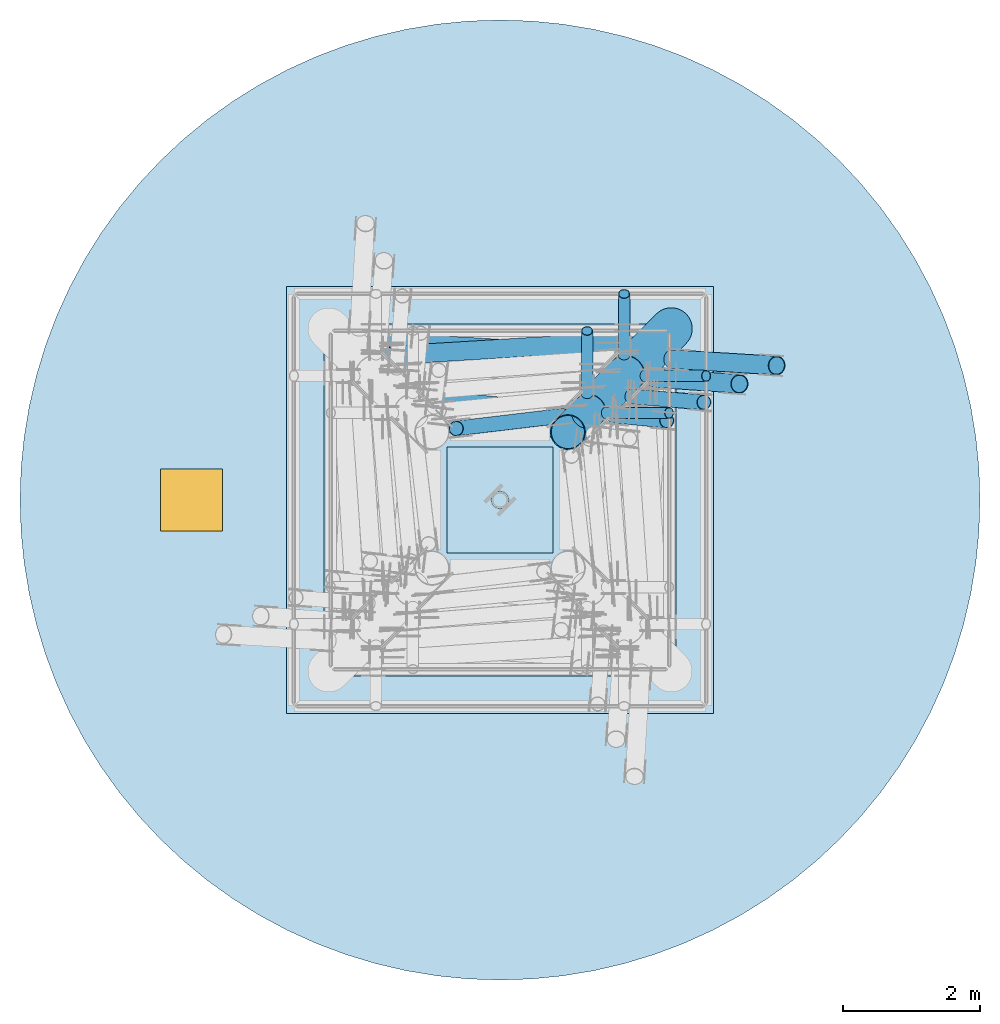
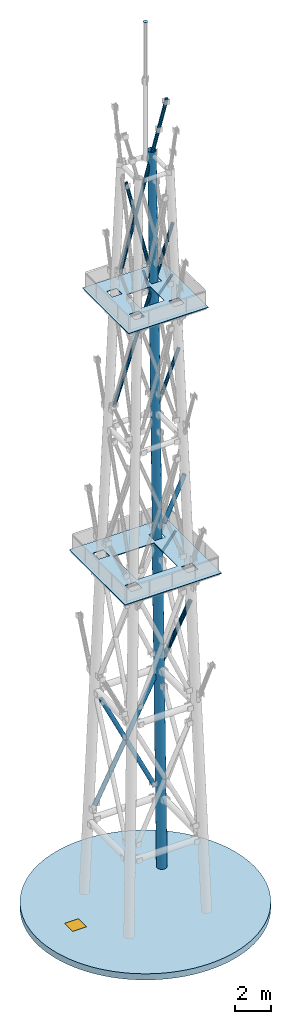
# One storey, part 4 of 25: 16 members, 3 plates, 1 slab, 1 window, 1 opening.
"""IFC4 building model written with IfcOpenShell, lengths in metres."""

from ifc_helpers import new_model, si_unit, direction, frame, origin, origin_2d, place, context, subcontext, project, spatial, polyline, rectangle, hollow_circle, outline, extrude, material, layer, layer_set, material_profile, profile_set, type_object, element, fill, save


model = new_model("IFC4")

# Units and contexts
model_context = context("Model", 3, precision=1e-05, world=origin(), true_north=direction((0.0, 1.0)))
body_context = subcontext(model_context, "Body", "Model", "MODEL_VIEW")
ifc_project = project(units=[si_unit("LENGTHUNIT", "METRE"), si_unit("AREAUNIT", "SQUARE_METRE"), si_unit("VOLUMEUNIT", "CUBIC_METRE"), si_unit("PLANEANGLEUNIT", "RADIAN"), si_unit("MASSUNIT", "GRAM", prefix="KILO")], contexts=[model_context])

# Site, building, storey
site_placement = place(None, origin())
site = spatial("IfcSite", under=ifc_project, at=site_placement, CompositionType="ELEMENT")
building_placement = place(site_placement, origin())
building = spatial("IfcBuilding", under=site, at=building_placement, Name="Vidyagriha Tower", CompositionType="ELEMENT")
storey_placement = place(building_placement, frame((0.0, 0.0, 318.39990234375)))
storey = spatial("IfcBuildingStorey", under=building, at=storey_placement, Name="RF", CompositionType="ELEMENT", Elevation=318.39990234375)

# Members
ifc_material_1 = material(Name="Steel ASTM A500 Grade C", Category="steel")
ifc_material_profile_1 = material_profile(ifc_material_1, hollow_circle(Radius=0.109619140625, WallThickness=0.008056640625, at=origin_2d()), Name="Broadcast mast lattice brace CHS 219x8 MAST")
ifc_profile_set_1 = profile_set([ifc_material_profile_1], Name="Steel ASTM A500 Grade C")
member_type_1 = type_object("IfcMemberType", Name="Broadcast mast lattice brace CHS 219x8 MAST", PredefinedType="BRACE", material=ifc_profile_set_1)
member_1_placement = place(storey_placement, frame((1.92431640625, 14.509033203125, 33.032470703125), z_axis=(0.348690001157, -0.028145017539, 0.9368154253), x_axis=(0.080454783909, 0.996758259432, 0.0)))
element("IfcMember", 1, at=member_1_placement, inside=storey, type_object=member_type_1, Name="Broadcast mast brace 3.3b MAST", PredefinedType="BRACE", context=body_context, shape_type="SweptSolid", body=[
    extrude(hollow_circle(Radius=0.109619140625, WallThickness=0.008056640625, at=origin_2d()), origin(), (0.0, 0.0, 1.0), 3.010009765625),
])
member_2_placement = place(storey_placement, frame((1.655029296875, 14.23291015625, 42.233642578125), z_axis=(0.297934242584, -0.028633127585, 0.954156869231), x_axis=(0.095664750236, 0.995413610296, 0.0)))
element("IfcMember", 2, at=member_2_placement, inside=storey, type_object=member_type_1, Name="Broadcast mast brace 4.3b MAST", PredefinedType="BRACE", context=body_context, shape_type="SweptSolid", body=[
    extrude(hollow_circle(Radius=0.109619140625, WallThickness=0.008056640625, at=origin_2d()), origin(), (0.0, 0.0, 1.0), 2.609130859375),
])
member_3_placement = place(storey_placement, frame((2.432373046875, 14.158203125, 44.72314453125), z_axis=(-0.29790220974, 0.028628457099, -0.954167010998), x_axis=(-0.095659479545, -0.995414116824, 0.0)))
element("IfcMember", 3, at=member_3_placement, inside=storey, type_object=member_type_1, Name="Broadcast mast brace 4.3c MAST", PredefinedType="BRACE", context=body_context, shape_type="SweptSolid", body=[
    extrude(hollow_circle(Radius=0.109619140625, WallThickness=0.008056640625, at=origin_2d()), origin(), (0.0, 0.0, 1.0), 12.04150390625),
])
member_4_placement = place(storey_placement, frame((0.909912109375, 14.227294921875, 42.427734375), z_axis=(-0.244452868876, -0.029112534479, 0.969224048007), x_axis=(0.118256957848, -0.992983027005, 0.0)))
element("IfcMember", 4, at=member_4_placement, inside=storey, type_object=member_type_1, Name="Broadcast mast brace 5.3a MAST", PredefinedType="BRACE", context=body_context, shape_type="SweptSolid", body=[
    extrude(hollow_circle(Radius=0.109619140625, WallThickness=0.008056640625, at=origin_2d()), origin(), (0.0, 0.0, 1.0), 6.33984375),
])
member_5_placement = place(storey_placement, frame((1.891357421875, 13.89404296875, 53.533935546875), z_axis=(-0.24446282321, 0.029082425805, -0.969222441227), x_axis=(-0.11813161898, -0.992997945918, 0.0)))
element("IfcMember", 5, at=member_5_placement, inside=storey, type_object=member_type_1, Name="Broadcast mast brace 5.3c MAST", PredefinedType="BRACE", context=body_context, shape_type="SweptSolid", body=[
    extrude(hollow_circle(Radius=0.109619140625, WallThickness=0.008056640625, at=origin_2d()), origin(), (0.0, 0.0, 1.0), 11.458984375),
])
ifc_material_2 = material(Name="Steel ASTM A500 Grade C", Category="steel")
ifc_material_profile_2 = material_profile(ifc_material_2, hollow_circle(Radius=0.136474609375, WallThickness=0.010009765625, at=origin_2d()), Name="Broadcast mast lattice brace CHS 273x10 MAST")
ifc_profile_set_2 = profile_set([ifc_material_profile_2], Name="Steel ASTM A500 Grade C")
member_type_2 = type_object("IfcMemberType", Name="Broadcast mast lattice brace CHS 273x10 MAST", PredefinedType="BRACE", material=ifc_profile_set_2)
member_6_placement = place(storey_placement, frame((1.9189453125, 15.32373046875, 5.8759765625), z_axis=(-0.441472376731, -0.026916100155, 0.896871040973), x_axis=(0.060855931649, -0.998146560172, 0.0)))
element("IfcMember", 6, at=member_6_placement, inside=storey, type_object=member_type_2, Name="Broadcast mast brace 1.3a MAST", PredefinedType="BRACE", context=body_context, shape_type="SweptSolid", body=[
    extrude(hollow_circle(Radius=0.136474609375, WallThickness=0.010009765625, at=origin_2d()), origin(), (0.0, 0.0, 1.0), 8.081787109375),
])
member_7_placement = place(storey_placement, frame((2.510986328125, 15.0537109375, 14.8759765625), z_axis=(0.441519701467, -0.0269089794, 0.896847958153), x_axis=(0.060833394533, 0.998147933981, 0.0)))
element("IfcMember", 7, at=member_7_placement, inside=storey, type_object=member_type_2, Name="Broadcast mast brace 1.3b MAST", PredefinedType="BRACE", context=body_context, shape_type="SweptSolid", body=[
    extrude(hollow_circle(Radius=0.136474609375, WallThickness=0.010009765625, at=origin_2d()), origin(), (0.0, 0.0, 1.0), 3.44775390625),
])
member_8_placement = place(storey_placement, frame((4.033203125, 14.9609375, 17.968017578125), z_axis=(-0.441472965129, 0.026908483436, -0.896870979896), x_axis=(-0.0608386936, -0.998147611008, 0.0)))
element("IfcMember", 8, at=member_8_placement, inside=storey, type_object=member_type_2, Name="Broadcast mast brace 1.3c MAST", PredefinedType="BRACE", context=body_context, shape_type="SweptSolid", body=[
    extrude(hollow_circle(Radius=0.136474609375, WallThickness=0.010009765625, at=origin_2d()), origin(), (0.0, 0.0, 1.0), 13.482421875),
])
member_9_placement = place(storey_placement, frame((2.2431640625, 14.77978515625, 24.00244140625), z_axis=(0.396616383071, -0.027475968612, 0.917573166471), x_axis=(0.069110292559, 0.997609025351, 0.0)))
element("IfcMember", 9, at=member_9_placement, inside=storey, type_object=member_type_2, Name="Broadcast mast brace 2.3b MAST", PredefinedType="BRACE", context=body_context, shape_type="SweptSolid", body=[
    extrude(hollow_circle(Radius=0.136474609375, WallThickness=0.010009765625, at=origin_2d()), origin(), (0.0, 0.0, 1.0), 3.1455078125),
])
ifc_material_3 = material(Name="Steel ASTM A500 Grade C", Category="steel")
ifc_material_profile_3 = material_profile(ifc_material_3, hollow_circle(Radius=0.25390625, WallThickness=0.0126953125, at=origin_2d()), Name="Broadcast mast lattice leg CHS 508x13 MAST")
ifc_profile_set_3 = profile_set([ifc_material_profile_3], Name="Steel ASTM A500 Grade C")
member_type_3 = type_object("IfcMemberType", Name="Broadcast mast lattice leg CHS 508x13 MAST", PredefinedType="USERDEFINED", material=ifc_profile_set_3)
member_10_placement = place(storey_placement, frame((1.283447265625, 14.283447265625, 40.550048828125), z_axis=(-0.029971038586, -0.029971038586, 0.999101333045), x_axis=(0.707106781187, -0.707106781187, 0.0)))
element("IfcMember", 10, at=member_10_placement, inside=storey, type_object=member_type_3, Name="Broadcast mast leg 3.3 MAST", ObjectType="MAST", PredefinedType="USERDEFINED", context=body_context, shape_type="SweptSolid", body=[
    extrude(hollow_circle(Radius=0.25390625, WallThickness=0.0126953125, at=origin_2d()), origin(), (0.0, 0.0, 1.0), 9.7587890625),
])
ifc_material_4 = material(Name="Steel ASTM A500 Grade C", Category="steel")
ifc_material_profile_4 = material_profile(ifc_material_4, hollow_circle(Radius=0.279296875, WallThickness=0.01611328125, at=origin_2d()), Name="Broadcast mast lattice leg CHS 559x16 MAST")
ifc_profile_set_4 = profile_set([ifc_material_profile_4], Name="Steel ASTM A500 Grade C")
member_type_4 = type_object("IfcMemberType", Name="Broadcast mast lattice leg CHS 559x16 MAST", PredefinedType="USERDEFINED", material=ifc_profile_set_4)
member_11_placement = place(storey_placement, frame((1.823486328125, 14.823486328125, 22.550048828125), z_axis=(-0.029971320793, -0.029971320793, 0.999101316114), x_axis=(0.707106781187, -0.707106781187, 0.0)))
element("IfcMember", 11, at=member_11_placement, inside=storey, type_object=member_type_4, Name="Broadcast mast leg 3.2 MAST", ObjectType="MAST", PredefinedType="USERDEFINED", context=body_context, shape_type="SweptSolid", body=[
    extrude(hollow_circle(Radius=0.279296875, WallThickness=0.01611328125, at=origin_2d()), origin(), (0.0, 0.0, 1.0), 18.466552734375),
])
ifc_material_5 = material(Name="Steel ASTM A572 Grade 50", Category="steel")
ifc_material_profile_5 = material_profile(ifc_material_5, hollow_circle(Radius=0.304931640625, WallThickness=0.02490234375, at=origin_2d()), Name="Broadcast mast lattice leg CHS 610x25 MAST")
ifc_profile_set_5 = profile_set([ifc_material_profile_5], Name="Steel ASTM A572 Grade 50")
member_type_5 = type_object("IfcMemberType", Name="Broadcast mast lattice leg CHS 610x25 MAST", PredefinedType="USERDEFINED", material=ifc_profile_set_5)
member_12_placement = place(storey_placement, frame((2.49853515625, 15.49853515625, 0.050048828125), z_axis=(-0.029972081558, -0.029972081558, 0.99910127047), x_axis=(0.707106781187, -0.707106781187, 0.0)))
element("IfcMember", 12, at=member_12_placement, inside=storey, type_object=member_type_5, Name="Broadcast mast leg 3.1 MAST", ObjectType="MAST", PredefinedType="USERDEFINED", context=body_context, shape_type="SweptSolid", body=[
    extrude(hollow_circle(Radius=0.304931640625, WallThickness=0.02490234375, at=origin_2d()), origin(), (0.0, 0.0, 1.0), 22.970703125),
])
ifc_material_6 = material(Name="Steel ASTM A500 Grade C", Category="steel")
ifc_material_profile_6 = material_profile(ifc_material_6, hollow_circle(Radius=0.084228515625, WallThickness=0.008056640625, at=origin_2d()), Name="Broadcast mast platform knee brace CHS 168x8 MAST")
ifc_profile_set_6 = profile_set([ifc_material_profile_6], Name="Steel ASTM A500 Grade C")
member_type_6 = type_object("IfcMemberType", Name="Broadcast mast platform knee brace CHS 168x8 MAST", PredefinedType="BRACE", material=ifc_profile_set_6)
for number, where, z_axis, x_axis, name in (
    (13, (2.109375, 14.81005859375, 22.0), (0.611954746035, 0.0, 0.790892779588), (0.0, 1.0, 0.0), "Broadcast mast platform 1 knee brace 3x MAST"),
    (14, (1.81005859375, 15.109375, 22.0), (0.0, 0.611954746035, 0.790892779588), (-1.0, 0.0, 0.0), "Broadcast mast platform 1 knee brace 3y MAST"),
):
    element("IfcMember", number, at=place(storey_placement, frame(where, z_axis=z_axis, x_axis=x_axis)), inside=storey, type_object=member_type_6, Name=name, PredefinedType="BRACE", context=body_context, shape_type="SweptSolid", body=[
        extrude(hollow_circle(Radius=0.084228515625, WallThickness=0.008056640625, at=origin_2d()), origin(), (0.0, 0.0, 1.0), 1.46533203125),
    ])
for number, where, z_axis, x_axis, name in (
    (15, (1.5439453125, 14.27001953125, 40.0), (0.631051682992, 0.0, 0.77574079008), (0.0, 1.0, 0.0), "Broadcast mast platform 2 knee brace 3x MAST"),
    (16, (1.27001953125, 14.5439453125, 40.0), (0.0, 0.631051682992, 0.77574079008), (-1.0, 0.0, 0.0), "Broadcast mast platform 2 knee brace 3y MAST"),
):
    element("IfcMember", number, at=place(storey_placement, frame(where, z_axis=z_axis, x_axis=x_axis)), inside=storey, type_object=member_type_6, Name=name, PredefinedType="BRACE", context=body_context, shape_type="SweptSolid", body=[
        extrude(hollow_circle(Radius=0.084228515625, WallThickness=0.008056640625, at=origin_2d()), origin(), (0.0, 0.0, 1.0), 1.461181640625),
    ])

# Plates
ifc_material_7 = material(Name="Galvanised steel grating", Category="steel")
ifc_layer_1 = layer(ifc_material_7, 0.050048828125)
ifc_layer_set_1 = layer_set([ifc_layer_1], Name="Galvanised steel grating")
plate_type_1 = type_object("IfcPlateType", Name="Broadcast mast platform grating 50", PredefinedType="SHEET", material=ifc_layer_set_1)
plate_1_placement = place(storey_placement, frame((0.0, 0.0, 23.162109375)))
element("IfcPlate", 17, at=plate_1_placement, inside=storey, type_object=plate_type_1, Name="Broadcast mast platform 1 deck 1 MAST", PredefinedType="SHEET", context=body_context, shape_type="SweptSolid", body=[
    extrude(outline(polyline([(-3.110107421875, 16.110107421875), (-3.110107421875, 9.889892578125), (3.110107421875, 9.889892578125), (3.110107421875, 16.110107421875), (-3.110107421875, 16.110107421875)]), holes=[polyline([(1.31005859375, 11.68994140625), (-1.31005859375, 11.68994140625), (-1.31005859375, 14.31005859375), (1.31005859375, 14.31005859375), (1.31005859375, 11.68994140625)]), polyline([(-2.1494140625, 10.8505859375), (-2.1494140625, 11.529296875), (-1.470703125, 11.529296875), (-1.470703125, 10.8505859375), (-2.1494140625, 10.8505859375)]), polyline([(1.470703125, 11.529296875), (2.1494140625, 11.529296875), (2.1494140625, 10.8505859375), (1.470703125, 10.8505859375), (1.470703125, 11.529296875)]), polyline([(2.1494140625, 15.1494140625), (2.1494140625, 14.470703125), (1.470703125, 14.470703125), (1.470703125, 15.1494140625), (2.1494140625, 15.1494140625)]), polyline([(-1.470703125, 14.470703125), (-2.1494140625, 14.470703125), (-2.1494140625, 15.1494140625), (-1.470703125, 15.1494140625), (-1.470703125, 14.470703125)])]), origin(), (0.0, 0.0, 1.0), 0.050048828125),
])
plate_2_placement = place(storey_placement, frame((0.0, 0.0, 41.13671875)))
element("IfcPlate", 18, at=plate_2_placement, inside=storey, type_object=plate_type_1, Name="Broadcast mast platform 2 deck 1 MAST", PredefinedType="SHEET", context=body_context, shape_type="SweptSolid", body=[
    extrude(outline(polyline([(-2.570068359375, 15.570068359375), (-2.570068359375, 10.429931640625), (2.570068359375, 10.429931640625), (2.570068359375, 15.570068359375), (-2.570068359375, 15.570068359375)]), holes=[polyline([(0.77001953125, 12.22998046875), (-0.77001953125, 12.22998046875), (-0.77001953125, 13.77001953125), (0.77001953125, 13.77001953125), (0.77001953125, 12.22998046875)]), polyline([(-1.583984375, 11.416015625), (-1.583984375, 12.0439453125), (-0.9560546875, 12.0439453125), (-0.9560546875, 11.416015625), (-1.583984375, 11.416015625)]), polyline([(0.9560546875, 12.0439453125), (1.583984375, 12.0439453125), (1.583984375, 11.416015625), (0.9560546875, 11.416015625), (0.9560546875, 12.0439453125)]), polyline([(1.583984375, 14.583984375), (1.583984375, 13.9560546875), (0.9560546875, 13.9560546875), (0.9560546875, 14.583984375), (1.583984375, 14.583984375)]), polyline([(-0.9560546875, 13.9560546875), (-1.583984375, 13.9560546875), (-1.583984375, 14.583984375), (-0.9560546875, 14.583984375), (-0.9560546875, 13.9560546875)])]), origin(), (0.0, 0.0, 1.0), 0.050048828125),
])
ifc_material_8 = material(Name="Steel ASTM A500 Grade C", Category="steel")
ifc_layer_2 = layer(ifc_material_8, 0.02001953125)
ifc_layer_set_2 = layer_set([ifc_layer_2], Name="Steel ASTM A500 Grade C")
plate_type_2 = type_object("IfcPlateType", Name="Broadcast mast spire end plate 20", PredefinedType="SHEET", material=ifc_layer_set_2)
plate_3_placement = place(storey_placement, frame((0.0, 0.0, 59.97998046875)))
element("IfcPlate", 19, at=plate_3_placement, inside=storey, type_object=plate_type_2, Name="Broadcast mast spire end plate MAST", PredefinedType="SHEET", context=body_context, shape_type="SweptSolid", body=[
    extrude(outline(polyline([(0.12939453125, 13.0), (0.11962890625, 13.049560546875), (0.091552734375, 13.091552734375), (0.049560546875, 13.11962890625), (0.0, 13.129638671875), (-0.049560546875, 13.11962890625), (-0.091552734375, 13.091552734375), (-0.11962890625, 13.049560546875), (-0.12939453125, 13.0), (-0.11962890625, 12.950439453125), (-0.091552734375, 12.908447265625), (-0.049560546875, 12.88037109375), (0.0, 12.870361328125), (0.049560546875, 12.88037109375), (0.091552734375, 12.908447265625), (0.11962890625, 12.950439453125), (0.12939453125, 13.0)])), origin(), (0.0, 0.0, 1.0), 0.02001953125),
])

# Slab, opening, window
ifc_material_9 = material(Name="Concrete C50/60", Category="concrete")
ifc_layer_3 = layer(ifc_material_9, 0.419921875)
ifc_layer_set_3 = layer_set([ifc_layer_3], Name="Concrete C50/60")
slab_type = type_object("IfcSlabType", Name="Post-tensioned roof slab 420", PredefinedType="ROOF", material=ifc_layer_set_3)
slab_placement = place(storey_placement, frame((0.0, 0.0, -0.419921875)))
slab = element("IfcSlab", 20, at=slab_placement, inside=storey, type_object=slab_type, Name="st-slab-roof-L80", PredefinedType="ROOF", context=body_context, shape_type="SweptSolid", body=[
    extrude(outline(polyline([(7.0, 13.0), (6.985107421875, 12.542236328125), (6.940185546875, 12.086181640625), (6.865478515625, 11.634521484375), (6.761474609375, 11.188232421875), (6.62841796875, 10.75), (6.46728515625, 10.3212890625), (6.278076171875, 9.904052734375), (6.062255859375, 9.5), (5.8203125, 9.111083984375), (5.553466796875, 8.73876953125), (5.262939453125, 8.384521484375), (4.94970703125, 8.05029296875), (4.615478515625, 7.737060546875), (4.26123046875, 7.446533203125), (3.888916015625, 7.1796875), (3.5, 6.937744140625), (3.095947265625, 6.721923828125), (2.6787109375, 6.53271484375), (2.25, 6.37158203125), (1.811767578125, 6.238525390625), (1.365478515625, 6.134521484375), (0.913818359375, 6.059814453125), (0.457763671875, 6.014892578125), (0.0, 6.0), (-0.457763671875, 6.014892578125), (-0.913818359375, 6.059814453125), (-1.365478515625, 6.134521484375), (-1.811767578125, 6.238525390625), (-2.25, 6.37158203125), (-2.6787109375, 6.53271484375), (-3.095947265625, 6.721923828125), (-3.5, 6.937744140625), (-3.888916015625, 7.1796875), (-4.26123046875, 7.446533203125), (-4.615478515625, 7.737060546875), (-4.94970703125, 8.05029296875), (-5.262939453125, 8.384521484375), (-5.553466796875, 8.73876953125), (-5.8203125, 9.111083984375), (-6.062255859375, 9.5), (-6.278076171875, 9.904052734375), (-6.46728515625, 10.3212890625), (-6.62841796875, 10.75), (-6.761474609375, 11.188232421875), (-6.865478515625, 11.634521484375), (-6.940185546875, 12.086181640625), (-6.985107421875, 12.542236328125), (-7.0, 13.0), (-6.985107421875, 13.457763671875), (-6.940185546875, 13.913818359375), (-6.865478515625, 14.365478515625), (-6.761474609375, 14.811767578125), (-6.62841796875, 15.25), (-6.46728515625, 15.6787109375), (-6.278076171875, 16.095947265625), (-6.062255859375, 16.5), (-5.8203125, 16.888916015625), (-5.553466796875, 17.26123046875), (-5.262939453125, 17.615478515625), (-4.94970703125, 17.94970703125), (-4.615478515625, 18.262939453125), (-4.26123046875, 18.553466796875), (-3.888916015625, 18.8203125), (-3.5, 19.062255859375), (-3.095947265625, 19.278076171875), (-2.6787109375, 19.46728515625), (-2.25, 19.62841796875), (-1.811767578125, 19.761474609375), (-1.365478515625, 19.865478515625), (-0.913818359375, 19.940185546875), (-0.457763671875, 19.985107421875), (0.0, 20.0), (0.457763671875, 19.985107421875), (0.913818359375, 19.940185546875), (1.365478515625, 19.865478515625), (1.811767578125, 19.761474609375), (2.25, 19.62841796875), (2.6787109375, 19.46728515625), (3.095947265625, 19.278076171875), (3.5, 19.062255859375), (3.888916015625, 18.8203125), (4.26123046875, 18.553466796875), (4.615478515625, 18.262939453125), (4.94970703125, 17.94970703125), (5.262939453125, 17.615478515625), (5.553466796875, 17.26123046875), (5.8203125, 16.888916015625), (6.062255859375, 16.5), (6.278076171875, 16.095947265625), (6.46728515625, 15.6787109375), (6.62841796875, 15.25), (6.761474609375, 14.811767578125), (6.865478515625, 14.365478515625), (6.940185546875, 13.913818359375), (6.985107421875, 13.457763671875), (7.0, 13.0)])), origin(), (0.0, 0.0, 1.0), 0.419921875),
])
opening_placement = place(slab_placement, frame((-4.5, 13.0, 0.0)))
opening = element("IfcOpeningElement", 21, at=opening_placement, cuts=slab, Name="Opening RH1", PredefinedType="OPENING", context=body_context, shape_type="SweptSolid", body=[
    extrude(rectangle(XDim=0.89990234375, YDim=0.89990234375, at=origin_2d()), origin(), (0.0, 0.0, 1.0), 0.419921875),
])
ifc_material_10 = material(Name="Aluminium insulated hatch", Category="aluminium")
window_type = type_object("IfcWindowType", Name="Roof access hatch 900x900", PartitioningType="NOTDEFINED", PredefinedType="SKYLIGHT", material=ifc_material_10)
window_placement = place(opening_placement, frame((0.0, 0.0, 0.369873046875)))
window = element("IfcWindow", 22, at=window_placement, inside=storey, type_object=window_type, Name="ROOF ACCESS HATCH", OverallHeight=0.89990234375, OverallWidth=0.89990234375, PartitioningType="SINGLE_PANEL", PredefinedType="SKYLIGHT", context=body_context, shape_type="SweptSolid", body=[
    extrude(rectangle(XDim=0.89990234375, YDim=0.89990234375, at=origin_2d()), origin(), (0.0, 0.0, 1.0), 0.050048828125),
])
fill(opening, window)

save(model, "model.ifc")
